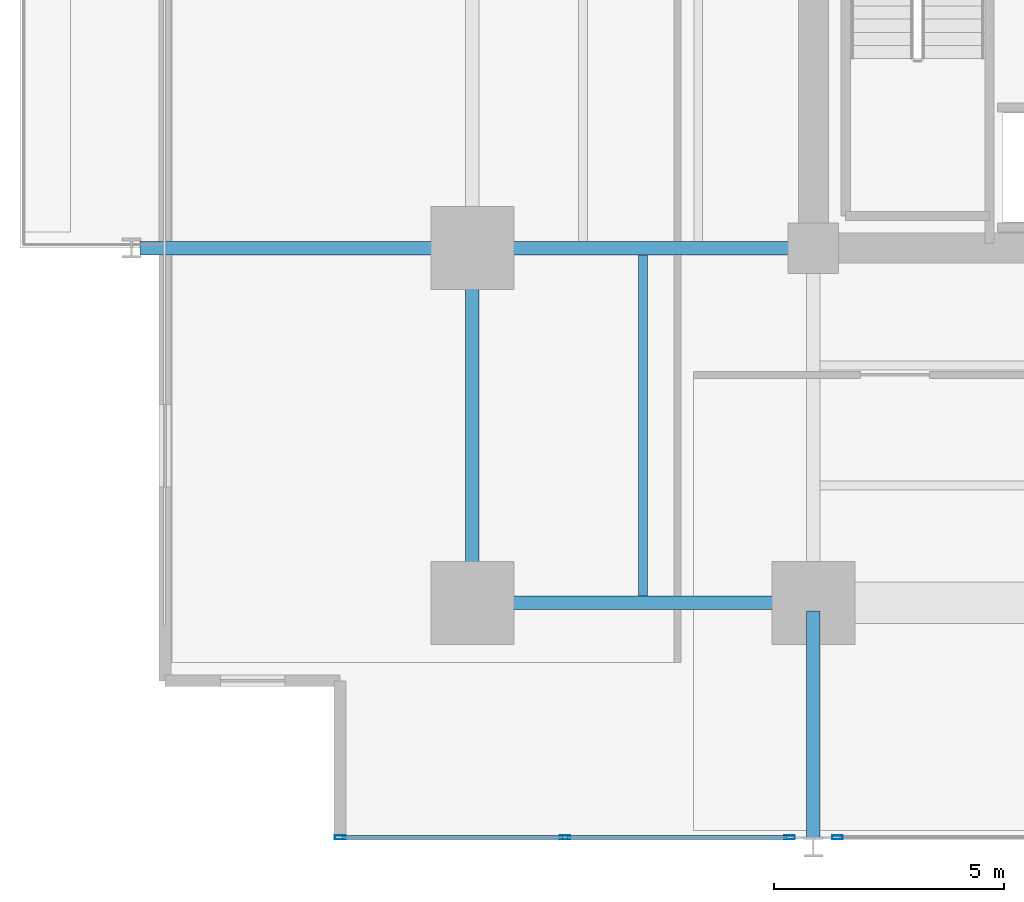
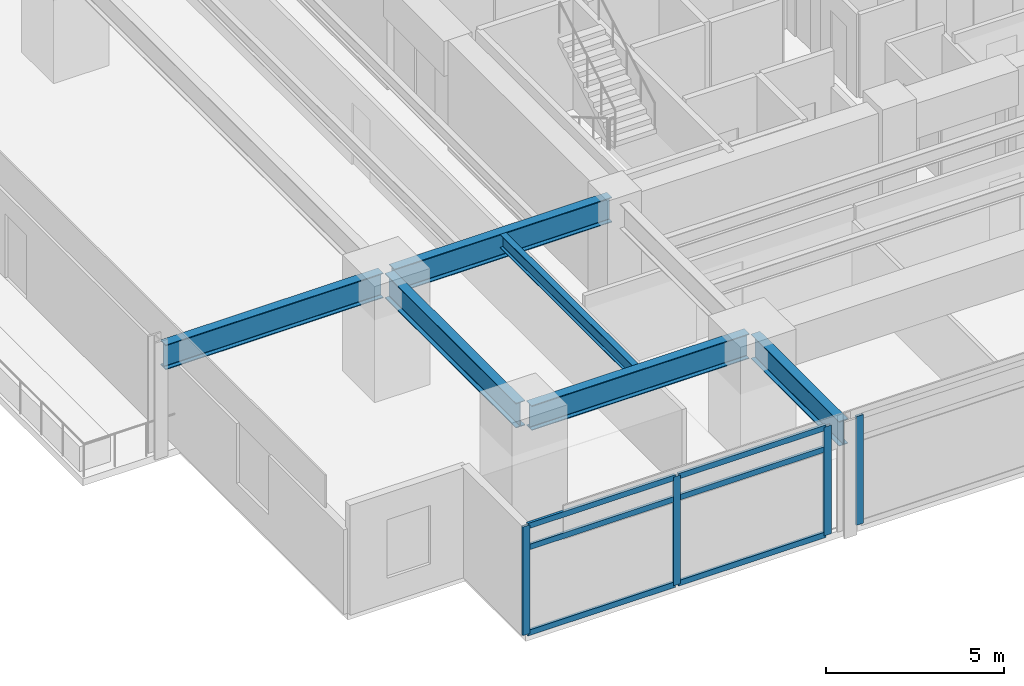
# One storey, part 2 of 20: 10 members, 6 beams, 2 elements without a shape of their own.
"""IFC4 building model written with IfcOpenShell, lengths in metres."""

from ifc_helpers import new_model, si_unit, direction, frame, origin, origin_2d, place, context, subcontext, project, spatial, hollow_rectangle, i_section, extrude, material, material_profile, profile_set, type_object, element, aggregate, save


model = new_model("IFC4")

# Units and contexts
model_context = context("Model", 3, precision=1e-05, world=origin(), true_north=direction((0.0, 1.0)))
body_context = subcontext(model_context, "Body", "Model", "MODEL_VIEW")
ifc_project = project(units=[si_unit("LENGTHUNIT", "METRE"), si_unit("AREAUNIT", "SQUARE_METRE"), si_unit("VOLUMEUNIT", "CUBIC_METRE"), si_unit("PLANEANGLEUNIT", "RADIAN"), si_unit("MASSUNIT", "GRAM", prefix="KILO")], contexts=[model_context])

# Site, building, storey
site_placement = place(None, origin())
site = spatial("IfcSite", under=ifc_project, at=site_placement, CompositionType="ELEMENT")
building_placement = place(site_placement, origin())
building = spatial("IfcBuilding", under=site, at=building_placement, Name="Kovane Verandah Tower", CompositionType="ELEMENT")
storey_placement = place(building_placement, frame((0.0, 0.0, 35.60009765625)))
storey = spatial("IfcBuildingStorey", under=building, at=storey_placement, Name="L07", CompositionType="ELEMENT", Elevation=35.60009765625)

# Beams
ifc_material_1 = material(Name="Steel S355", Category="steel")
ifc_material_profile_1 = material_profile(ifc_material_1, i_section(OverallWidth=0.293701171875, OverallDepth=0.850830078125, WebThickness=0.01611328125, FlangeThickness=0.02685546875, FilletRadius=0.017822265625, at=origin_2d()), Name="UB838x292x226")
ifc_profile_set_1 = profile_set([ifc_material_profile_1], Name="Steel S355")
beam_type_1 = type_object("IfcBeamType", Name="BM-UB838x226", PredefinedType="BEAM", material=ifc_profile_set_1)
beam_1_placement = place(storey_placement, frame((21.780029296875, 10.800048828125, 3.33447265625), z_axis=(1.0, 0.0, 0.0), x_axis=(0.0, 1.0, 0.0)))
element("IfcBeam", 1, at=beam_1_placement, inside=storey, type_object=beam_type_1, Name="L07 Primary Tower Girder G-RS1", PredefinedType="BEAM", context=body_context, shape_type="SweptSolid", body=[
    extrude(i_section(OverallWidth=0.293701171875, OverallDepth=0.850830078125, WebThickness=0.01611328125, FlangeThickness=0.02685546875, FilletRadius=0.017822265625, at=origin_2d()), origin(), (0.0, 0.0, 1.0), 7.0400390625),
])
beam_2_placement = place(storey_placement, frame((21.60009765625, 10.97998046875, 3.33447265625), z_axis=(0.0, 1.0, 0.0), x_axis=(-1.0, 0.0, 0.0)))
element("IfcBeam", 2, at=beam_2_placement, inside=storey, type_object=beam_type_1, Name="L07 Primary Tower Girder G-RW1", PredefinedType="BEAM", context=body_context, shape_type="SweptSolid", body=[
    extrude(i_section(OverallWidth=0.293701171875, OverallDepth=0.850830078125, WebThickness=0.01611328125, FlangeThickness=0.02685546875, FilletRadius=0.017822265625, at=origin_2d()), origin(), (0.0, 0.0, 1.0), 7.340087890625),
])
for number, where, z_axis, x_axis, name in (
    (3, (28.820068359375, 18.5, 3.33447265625), (-1.0, 0.0, 0.0), (0.0, -1.0, 0.0), "L07 Primary Tower Girder G-W1"),
    (4, (21.419921875, 18.5, 3.33447265625), (-1.0, 0.0, 0.0), (0.0, -1.0, 0.0), "L07 Primary Tower Girder G-VW1"),
):
    element("IfcBeam", number, at=place(storey_placement, frame(where, z_axis=z_axis, x_axis=x_axis)), inside=storey, type_object=beam_type_1, Name=name, PredefinedType="BEAM", context=body_context, shape_type="SweptSolid", body=[
        extrude(i_section(OverallWidth=0.293701171875, OverallDepth=0.850830078125, WebThickness=0.01611328125, FlangeThickness=0.02685546875, FilletRadius=0.017822265625, at=origin_2d()), origin(), (0.0, 0.0, 1.0), 7.0400390625),
    ])
beam_3_placement = place(storey_placement, frame((29.0, 10.6201171875, 3.33447265625), z_axis=(0.0, -1.0, 0.0), x_axis=(1.0, 0.0, 0.0)))
element("IfcBeam", 5, at=beam_3_placement, inside=storey, type_object=beam_type_1, Name="L07 Primary Tower Girder G-VS1", PredefinedType="BEAM", context=body_context, shape_type="SweptSolid", body=[
    extrude(i_section(OverallWidth=0.293701171875, OverallDepth=0.850830078125, WebThickness=0.01611328125, FlangeThickness=0.02685546875, FilletRadius=0.017822265625, at=origin_2d()), origin(), (0.0, 0.0, 1.0), 4.940185546875),
])

# Curtain wall, members
ifc_material_2 = material(Name="Champagne Anodised Aluminium Frame with Low-E Clear Laminated Glass", Category="aluminium")
curtain_wall_type = type_object("IfcCurtainWallType", Name="CW-SYS-02-LOW", PredefinedType="NOTDEFINED", material=ifc_material_2)
curtain_wall_1_placement = place(storey_placement, origin())
curtain_wall_1 = element("IfcCurtainWall", 6, at=curtain_wall_1_placement, inside=storey, type_object=curtain_wall_type, Name="L07 S Unitised Curtain Wall-1", PredefinedType="NOTDEFINED")
ifc_material_3 = material(Name="Champagne Anodised Aluminium 6063-T6", Category="aluminium")
ifc_material_profile_2 = material_profile(ifc_material_3, hollow_rectangle(XDim=0.0849609375, YDim=0.22998046875, WallThickness=0.00390625, at=origin_2d()), Name="AL85x230x4")
ifc_profile_set_2 = profile_set([ifc_material_profile_2], Name="Champagne Anodised Aluminium 6063-T6")
member_type_1 = type_object("IfcMemberType", Name="CW-MUL-85x230", PredefinedType="MULLION", material=ifc_profile_set_2)
member_1_placement = place(storey_placement, frame((18.7294921875, 5.710693359375, 0.02001953125), z_axis=(0.0, 0.0, 1.0), x_axis=(0.0, -1.0, 0.0)))
member_1 = element("IfcMember", 7, at=member_1_placement, type_object=member_type_1, Name="L07 S Unitised Curtain Wall-1 Mullion 1", PredefinedType="MULLION", context=body_context, shape_type="SweptSolid", body=[
    extrude(hollow_rectangle(XDim=0.0849609375, YDim=0.22998046875, WallThickness=0.00390625, at=origin_2d()), origin(), (0.0, 0.0, 1.0), 3.719970703125),
])
member_2_placement = place(storey_placement, frame((23.604736328125, 5.710693359375, 0.02001953125), z_axis=(0.0, 0.0, 1.0), x_axis=(0.0, -1.0, 0.0)))
member_2 = element("IfcMember", 8, at=member_2_placement, type_object=member_type_1, Name="L07 S Unitised Curtain Wall-1 Mullion 2", PredefinedType="MULLION", context=body_context, shape_type="SweptSolid", body=[
    extrude(hollow_rectangle(XDim=0.0849609375, YDim=0.22998046875, WallThickness=0.00390625, at=origin_2d()), origin(), (0.0, 0.0, 1.0), 3.719970703125),
])
member_3_placement = place(storey_placement, frame((28.47998046875, 5.710693359375, 0.02001953125), z_axis=(0.0, 0.0, 1.0), x_axis=(0.0, -1.0, 0.0)))
member_3 = element("IfcMember", 9, at=member_3_placement, type_object=member_type_1, Name="L07 S Unitised Curtain Wall-1 Mullion 3", PredefinedType="MULLION", context=body_context, shape_type="SweptSolid", body=[
    extrude(hollow_rectangle(XDim=0.0849609375, YDim=0.22998046875, WallThickness=0.00390625, at=origin_2d()), origin(), (0.0, 0.0, 1.0), 3.719970703125),
])

# Curtain wall, member
curtain_wall_2_placement = place(storey_placement, origin())
curtain_wall_2 = element("IfcCurtainWall", 10, at=curtain_wall_2_placement, inside=storey, type_object=curtain_wall_type, Name="L07 S Unitised Curtain Wall-2", PredefinedType="NOTDEFINED")
member_4_placement = place(storey_placement, frame((29.52001953125, 5.710693359375, 0.02001953125), z_axis=(0.0, 0.0, 1.0), x_axis=(0.0, -1.0, 0.0)))
member_4 = element("IfcMember", 11, at=member_4_placement, type_object=member_type_1, Name="L07 S Unitised Curtain Wall-2 Mullion 1", PredefinedType="MULLION", context=body_context, shape_type="SweptSolid", body=[
    extrude(hollow_rectangle(XDim=0.0849609375, YDim=0.22998046875, WallThickness=0.00390625, at=origin_2d()), origin(), (0.0, 0.0, 1.0), 3.719970703125),
])
aggregate(curtain_wall_2, [member_4])

# Member
ifc_material_profile_3 = material_profile(ifc_material_3, hollow_rectangle(XDim=0.0849609375, YDim=0.18994140625, WallThickness=0.00390625, at=origin_2d()), Name="AL85x190x4")
ifc_profile_set_3 = profile_set([ifc_material_profile_3], Name="Champagne Anodised Aluminium 6063-T6")
member_type_2 = type_object("IfcMemberType", Name="CW-TRN-85x190", PredefinedType="USERDEFINED", material=ifc_profile_set_3)
member_5_placement = place(storey_placement, frame((18.779541015625, 5.710693359375, 0.0498046875), z_axis=(1.0, 0.0, 0.0), x_axis=(0.0, 1.0, 0.0)))
member_5 = element("IfcMember", 12, at=member_5_placement, type_object=member_type_2, Name="L07 S Unitised Curtain Wall-1 Transom TB Bay 1", ObjectType="TRANSOM", PredefinedType="USERDEFINED", context=body_context, shape_type="SweptSolid", body=[
    extrude(hollow_rectangle(XDim=0.0849609375, YDim=0.18994140625, WallThickness=0.00390625, at=origin_2d()), origin(), (0.0, 0.0, 1.0), 4.775146484375),
])

member_6_placement = place(storey_placement, frame((18.779541015625, 5.710693359375, 2.97998046875), z_axis=(1.0, 0.0, 0.0), x_axis=(0.0, 1.0, 0.0)))
member_6 = element("IfcMember", 13, at=member_6_placement, type_object=member_type_2, Name="L07 S Unitised Curtain Wall-1 Transom TM Bay 1", ObjectType="TRANSOM", PredefinedType="USERDEFINED", context=body_context, shape_type="SweptSolid", body=[
    extrude(hollow_rectangle(XDim=0.0849609375, YDim=0.18994140625, WallThickness=0.00390625, at=origin_2d()), origin(), (0.0, 0.0, 1.0), 4.775146484375),
])

member_7_placement = place(storey_placement, frame((18.779541015625, 5.710693359375, 3.7099609375), z_axis=(1.0, 0.0, 0.0), x_axis=(0.0, 1.0, 0.0)))
member_7 = element("IfcMember", 14, at=member_7_placement, type_object=member_type_2, Name="L07 S Unitised Curtain Wall-1 Transom TT Bay 1", ObjectType="TRANSOM", PredefinedType="USERDEFINED", context=body_context, shape_type="SweptSolid", body=[
    extrude(hollow_rectangle(XDim=0.0849609375, YDim=0.18994140625, WallThickness=0.00390625, at=origin_2d()), origin(), (0.0, 0.0, 1.0), 4.775146484375),
])

member_8_placement = place(storey_placement, frame((23.65478515625, 5.710693359375, 0.0498046875), z_axis=(1.0, 0.0, 0.0), x_axis=(0.0, 1.0, 0.0)))
member_8 = element("IfcMember", 15, at=member_8_placement, type_object=member_type_2, Name="L07 S Unitised Curtain Wall-1 Transom TB Bay 2", ObjectType="TRANSOM", PredefinedType="USERDEFINED", context=body_context, shape_type="SweptSolid", body=[
    extrude(hollow_rectangle(XDim=0.0849609375, YDim=0.18994140625, WallThickness=0.00390625, at=origin_2d()), origin(), (0.0, 0.0, 1.0), 4.775146484375),
])

member_9_placement = place(storey_placement, frame((23.65478515625, 5.710693359375, 2.97998046875), z_axis=(1.0, 0.0, 0.0), x_axis=(0.0, 1.0, 0.0)))
member_9 = element("IfcMember", 16, at=member_9_placement, type_object=member_type_2, Name="L07 S Unitised Curtain Wall-1 Transom TM Bay 2", ObjectType="TRANSOM", PredefinedType="USERDEFINED", context=body_context, shape_type="SweptSolid", body=[
    extrude(hollow_rectangle(XDim=0.0849609375, YDim=0.18994140625, WallThickness=0.00390625, at=origin_2d()), origin(), (0.0, 0.0, 1.0), 4.775146484375),
])

member_10_placement = place(storey_placement, frame((23.65478515625, 5.710693359375, 3.7099609375), z_axis=(1.0, 0.0, 0.0), x_axis=(0.0, 1.0, 0.0)))
member_10 = element("IfcMember", 17, at=member_10_placement, type_object=member_type_2, Name="L07 S Unitised Curtain Wall-1 Transom TT Bay 2", ObjectType="TRANSOM", PredefinedType="USERDEFINED", context=body_context, shape_type="SweptSolid", body=[
    extrude(hollow_rectangle(XDim=0.0849609375, YDim=0.18994140625, WallThickness=0.00390625, at=origin_2d()), origin(), (0.0, 0.0, 1.0), 4.775146484375),
])

aggregate(curtain_wall_1, [member_1, member_2, member_3, member_5, member_6, member_7, member_8, member_9, member_10])

# Beam
ifc_material_profile_4 = material_profile(ifc_material_1, i_section(OverallWidth=0.19287109375, OverallDepth=0.46728515625, WebThickness=0.011474609375, FlangeThickness=0.01953125, FilletRadius=0.01025390625, at=origin_2d()), Name="UB457x191x98")
ifc_profile_set_4 = profile_set([ifc_material_profile_4], Name="Steel S355")
beam_type_2 = type_object("IfcBeamType", Name="JST-UB457x98", PredefinedType="JOIST", material=ifc_profile_set_4)
beam_4_placement = place(storey_placement, frame((25.300048828125, 10.94482421875, 3.5263671875), z_axis=(0.0, 1.0, 0.0), x_axis=(-1.0, 0.0, 0.0)))
element("IfcBeam", 18, at=beam_4_placement, inside=storey, type_object=beam_type_2, Name="L07 Secondary Composite Joist J-SW1", PredefinedType="JOIST", context=body_context, shape_type="SweptSolid", body=[
    extrude(i_section(OverallWidth=0.19287109375, OverallDepth=0.46728515625, WebThickness=0.011474609375, FlangeThickness=0.01953125, FilletRadius=0.01025390625, at=origin_2d()), origin(), (0.0, 0.0, 1.0), 7.41015625),
])

save(model, "model.ifc")
